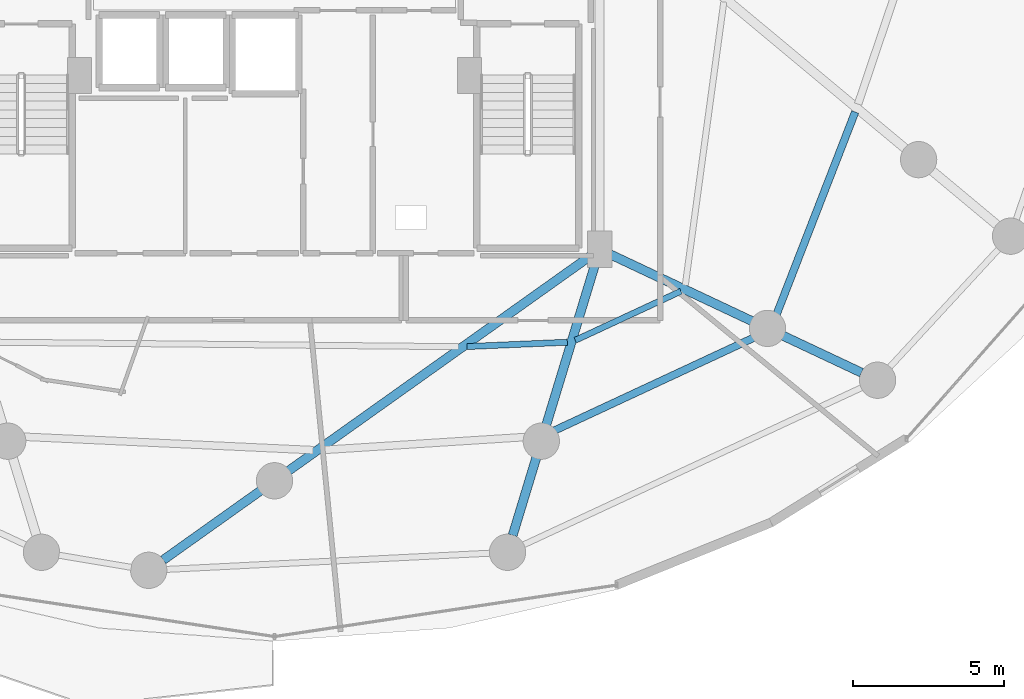
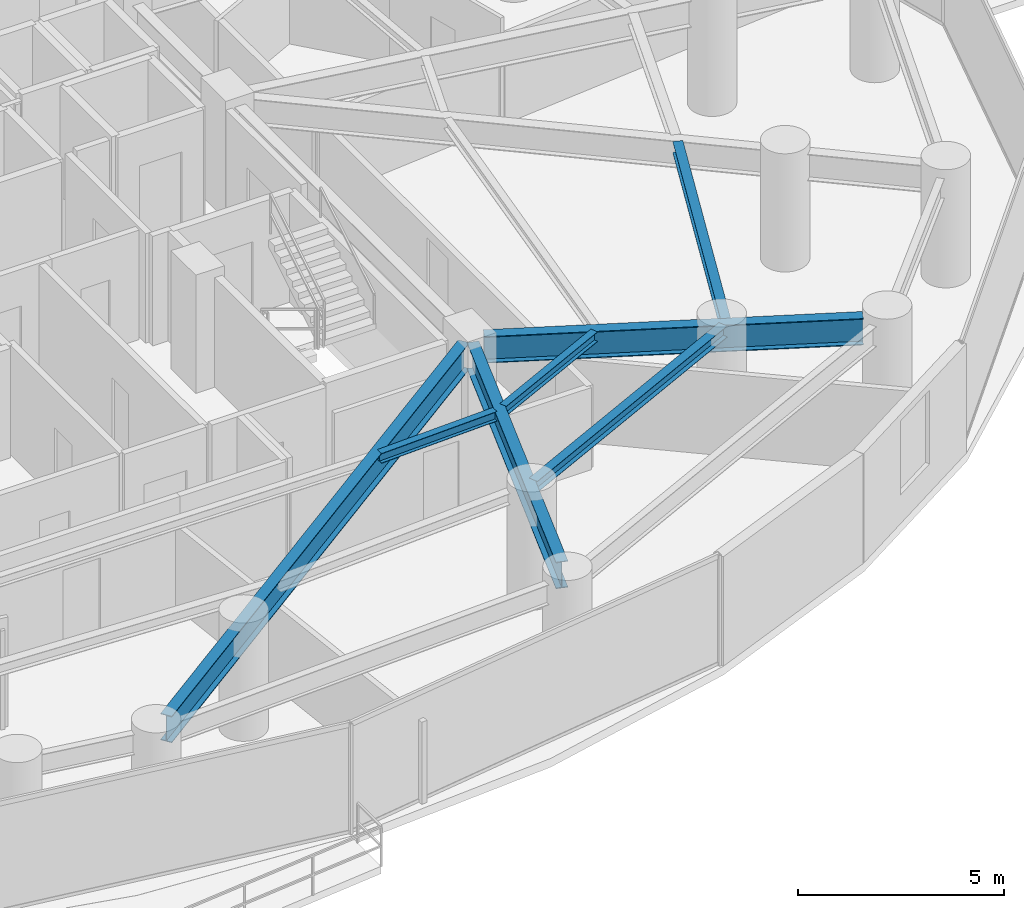
# One storey, part 12 of 33: 7 beams.
"""IFC4 building model written with IfcOpenShell, lengths in metres."""

from ifc_helpers import new_model, si_unit, direction, frame, origin, origin_2d, place, context, subcontext, project, spatial, i_section, extrude, material, material_profile, profile_set, type_object, element, save


model = new_model("IFC4")

# Units and contexts
model_context = context("Model", 3, precision=1e-05, world=origin(), true_north=direction((0.0, 1.0)))
body_context = subcontext(model_context, "Body", "Model", "MODEL_VIEW")
ifc_project = project(units=[si_unit("LENGTHUNIT", "METRE"), si_unit("AREAUNIT", "SQUARE_METRE"), si_unit("VOLUMEUNIT", "CUBIC_METRE"), si_unit("PLANEANGLEUNIT", "RADIAN"), si_unit("MASSUNIT", "GRAM", prefix="KILO")], contexts=[model_context])

# Site, building, storey
site_placement = place(None, origin())
site = spatial("IfcSite", under=ifc_project, at=site_placement, CompositionType="ELEMENT")
building_placement = place(site_placement, origin())
building = spatial("IfcBuilding", under=site, at=building_placement, Name="Vorneva Point Tower", CompositionType="ELEMENT")
storey_placement = place(building_placement, frame((0.0, 0.0, 59.0)))
storey = spatial("IfcBuildingStorey", under=building, at=storey_placement, Name="L15", CompositionType="ELEMENT", Elevation=59.0)

# Beams
ifc_material = material(Name="Steel S355", Category="steel")
ifc_material_profile_1 = material_profile(ifc_material, i_section(OverallWidth=0.300048828125, OverallDepth=0.7880859375, WebThickness=0.014404296875, FlangeThickness=0.02197265625, at=origin_2d()), Name="80Sh1")
ifc_profile_set_1 = profile_set([ifc_material_profile_1], Name="Steel S355")
beam_type_1 = type_object("IfcBeamType", Name="BM-GRD-80Sh1", PredefinedType="USERDEFINED", material=ifc_profile_set_1)
beam_1_placement = place(storey_placement, frame((34.319580078125, 6.180908203125, 2.845947265625), z_axis=(0.814753048612, 0.579808131865, 0.0), x_axis=(-0.579808131865, 0.814753048612, 0.0)))
element("IfcBeam", 1, at=beam_1_placement, inside=storey, type_object=beam_type_1, Name="L15 Radial Primary Girder 13", ObjectType="GIRDER", PredefinedType="USERDEFINED", context=body_context, shape_type="SweptSolid", body=[
    extrude(i_section(OverallWidth=0.300048828125, OverallDepth=0.7880859375, WebThickness=0.014404296875, FlangeThickness=0.02197265625, at=origin_2d()), origin(), (0.0, 0.0, 1.0), 17.371337890625),
])
beam_2_placement = place(storey_placement, frame((45.874267578125, 6.997802734375, 2.845947265625), z_axis=(0.29105061459, 0.956707656365, 0.0), x_axis=(-0.956707656365, 0.29105061459, 0.0)))
element("IfcBeam", 2, at=beam_2_placement, inside=storey, type_object=beam_type_1, Name="L15 Radial Primary Girder 14", ObjectType="GIRDER", PredefinedType="USERDEFINED", context=body_context, shape_type="SweptSolid", body=[
    extrude(i_section(OverallWidth=0.300048828125, OverallDepth=0.7880859375, WebThickness=0.014404296875, FlangeThickness=0.02197265625, at=origin_2d()), origin(), (0.0, 0.0, 1.0), 9.5400390625),
])
beam_3_placement = place(storey_placement, frame((57.40673828125, 12.37451171875, 2.845947265625), z_axis=(-0.904749139553, 0.425944825627, 0.0), x_axis=(-0.425944825627, -0.904749139553, 0.0)))
element("IfcBeam", 3, at=beam_3_placement, inside=storey, type_object=beam_type_1, Name="L15 Radial Primary Girder 15", ObjectType="GIRDER", PredefinedType="USERDEFINED", context=body_context, shape_type="SweptSolid", body=[
    extrude(i_section(OverallWidth=0.300048828125, OverallDepth=0.7880859375, WebThickness=0.014404296875, FlangeThickness=0.02197265625, at=origin_2d()), origin(), (0.0, 0.0, 1.0), 9.22802734375),
])
ifc_material_profile_2 = material_profile(ifc_material, i_section(OverallWidth=0.199951171875, OverallDepth=0.291015625, WebThickness=0.008056640625, FlangeThickness=0.010986328125, at=origin_2d()), Name="30Sh1")
ifc_profile_set_2 = profile_set([ifc_material_profile_2], Name="Steel S355")
beam_type_2 = type_object("IfcBeamType", Name="BM-SEC-30Sh1", PredefinedType="BEAM", material=ifc_profile_set_2)
beam_4_placement = place(storey_placement, frame((44.36474609375, 13.2373046875, 3.094482421875), z_axis=(0.999067092464, 0.043185006132, 0.0), x_axis=(-0.043185006132, 0.999067092464, 0.0)))
element("IfcBeam", 4, at=beam_4_placement, inside=storey, type_object=beam_type_2, Name="L15 Secondary Floor Beam 2.13", PredefinedType="BEAM", context=body_context, shape_type="SweptSolid", body=[
    extrude(i_section(OverallWidth=0.199951171875, OverallDepth=0.291015625, WebThickness=0.008056640625, FlangeThickness=0.010986328125, at=origin_2d()), origin(), (0.0, 0.0, 1.0), 3.318603515625),
])
beam_5_placement = place(storey_placement, frame((47.943115234375, 13.444580078125, 3.094482421875), z_axis=(0.906908671886, 0.421327260996, 0.0), x_axis=(-0.421327260996, 0.906908671886, 0.0)))
element("IfcBeam", 5, at=beam_5_placement, inside=storey, type_object=beam_type_2, Name="L15 Secondary Floor Beam 2.14", PredefinedType="BEAM", context=body_context, shape_type="SweptSolid", body=[
    extrude(i_section(OverallWidth=0.199951171875, OverallDepth=0.291015625, WebThickness=0.008056640625, FlangeThickness=0.010986328125, at=origin_2d()), origin(), (0.0, 0.0, 1.0), 3.852783203125),
])
ifc_material_profile_3 = material_profile(ifc_material, i_section(OverallWidth=0.2490234375, OverallDepth=0.333984375, WebThickness=0.008056640625, FlangeThickness=0.010986328125, at=origin_2d()), Name="35Sh1")
ifc_profile_set_3 = profile_set([ifc_material_profile_3], Name="Steel S355")
beam_type_3 = type_object("IfcBeamType", Name="BM-SEC-35Sh1", PredefinedType="BEAM", material=ifc_profile_set_3)
beam_6_placement = place(storey_placement, frame((46.998779296875, 10.341796875, 3.072998046875), z_axis=(0.906496779904, 0.4222127284, 0.0), x_axis=(-0.4222127284, 0.906496779904, 0.0)))
element("IfcBeam", 6, at=beam_6_placement, inside=storey, type_object=beam_type_3, Name="L15 Secondary Floor Beam 1.14", PredefinedType="BEAM", context=body_context, shape_type="SweptSolid", body=[
    extrude(i_section(OverallWidth=0.2490234375, OverallDepth=0.333984375, WebThickness=0.008056640625, FlangeThickness=0.010986328125, at=origin_2d()), origin(), (0.0, 0.0, 1.0), 8.02783203125),
])
beam_7_placement = place(storey_placement, frame((54.450927734375, 13.918212890625, 3.072998046875), z_axis=(0.362093874083, 0.932141634276, 0.0), x_axis=(-0.932141634276, 0.362093874083, 0.0)))
element("IfcBeam", 7, at=beam_7_placement, inside=storey, type_object=beam_type_3, Name="L15 Secondary Floor Beam 1.15", PredefinedType="BEAM", context=body_context, shape_type="SweptSolid", body=[
    extrude(i_section(OverallWidth=0.2490234375, OverallDepth=0.333984375, WebThickness=0.008056640625, FlangeThickness=0.010986328125, at=origin_2d()), origin(), (0.0, 0.0, 1.0), 7.590087890625),
])

save(model, "model.ifc")
